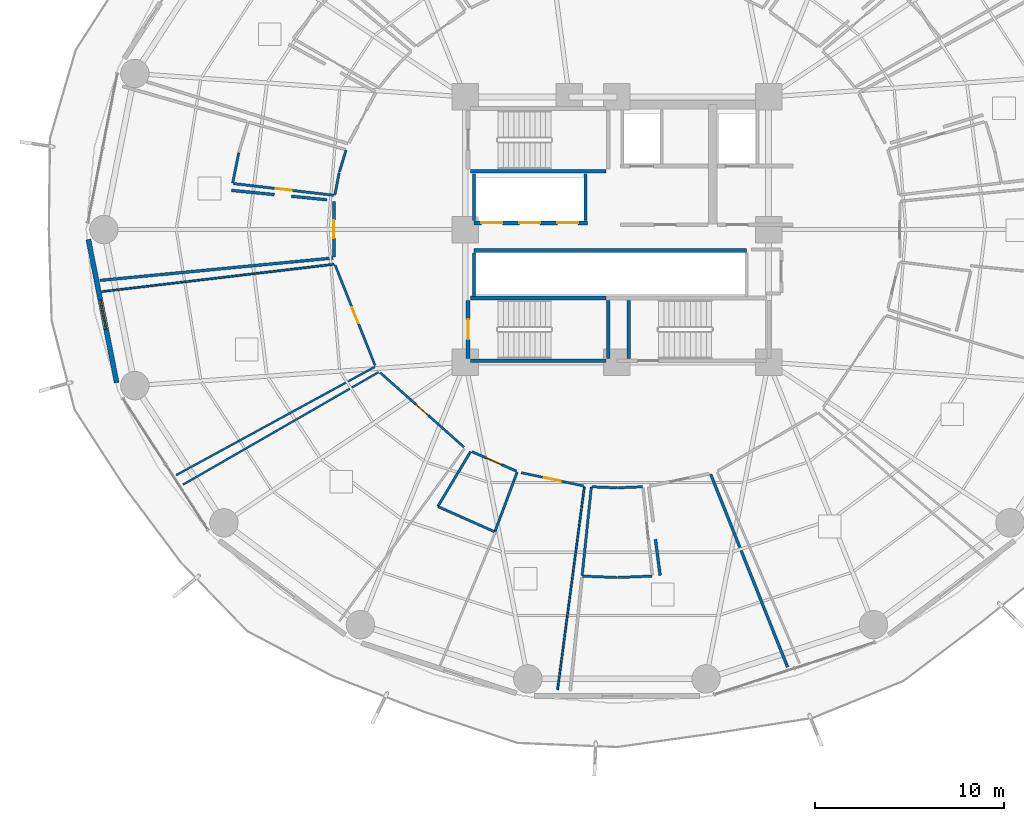
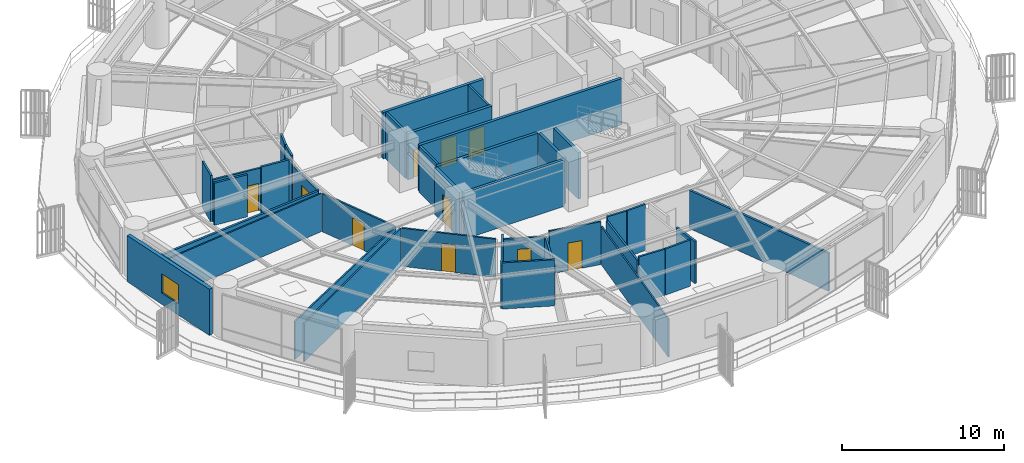
# One storey, part 23 of 32: 38 walls, 10 doors, 1 window, 11 openings.
"""IFC4 building model written with IfcOpenShell, lengths in metres."""

from ifc_helpers import new_model, si_unit, direction, frame, frame_2d, origin, place, context, subcontext, project, spatial, rectangle, extrude, material, layer, layer_set, type_object, element, fill, save


model = new_model("IFC4")

# Units and contexts
model_context = context("Model", 3, precision=1e-05, world=origin(), true_north=direction((0.0, 1.0)))
body_context = subcontext(model_context, "Body", "Model", "MODEL_VIEW")
ifc_project = project(units=[si_unit("LENGTHUNIT", "METRE"), si_unit("AREAUNIT", "SQUARE_METRE"), si_unit("VOLUMEUNIT", "CUBIC_METRE"), si_unit("PLANEANGLEUNIT", "RADIAN"), si_unit("MASSUNIT", "GRAM", prefix="KILO")], contexts=[model_context])

# Site, building, storey
site_placement = place(None, origin())
site = spatial("IfcSite", under=ifc_project, at=site_placement, CompositionType="ELEMENT")
building_placement = place(site_placement, origin())
building = spatial("IfcBuilding", under=site, at=building_placement, Name="Kelanora Arch Commons", CompositionType="ELEMENT")
storey_placement = place(building_placement, frame((0.0, 0.0, 52.5)))
storey = spatial("IfcBuildingStorey", under=building, at=storey_placement, Name="L13", CompositionType="ELEMENT", Elevation=52.5)

# Walls
ifc_material_1 = material(Name="Autoclaved aerated concrete blockwork with fire plaster", Category="masonry")
ifc_layer_1 = layer(ifc_material_1, 0.14990234375)
ifc_layer_set_1 = layer_set([ifc_layer_1], Name="Autoclaved aerated concrete blockwork with fire plaster")
wall_type_1 = type_object("IfcWallType", Name="W-COMP-150", PredefinedType="PARTITIONING", material=ifc_layer_set_1)
for number, where, z_axis, x_axis, name in (
    (1, (66.4599609375, 58.47998046875, 0.0), (0.0, 0.0, 1.0), (0.0, 1.0, 0.0), "Low-Rise Lift Bank West Wall L13"),
    (2, (72.340087890625, 58.47998046875, 0.0), (0.0, 0.0, 1.0), (0.0, 1.0, 0.0), "Low-Rise Lift Bank East Wall L13"),
):
    element("IfcWall", number, at=place(storey_placement, frame(where, z_axis=z_axis, x_axis=x_axis)), inside=storey, type_object=wall_type_1, Name=name, PredefinedType="PARTITIONING", context=body_context, shape_type="SweptSolid", body=[
        extrude(rectangle(XDim=2.4599609375, YDim=0.14990234375, at=frame_2d((1.22998046875, 0.0))), origin(), (0.0, 0.0, 1.0), 3.47998046875),
    ])
wall_1_placement = place(storey_placement, frame((66.4599609375, 54.47998046875, 0.0), z_axis=(0.0, 0.0, 1.0), x_axis=(0.0, 1.0, 0.0)))
element("IfcWall", 3, at=wall_1_placement, inside=storey, type_object=wall_type_1, Name="South Lift Bank West Wall L13", PredefinedType="PARTITIONING", context=body_context, shape_type="SweptSolid", body=[
    extrude(rectangle(XDim=2.2900390625, YDim=0.14990234375, at=frame_2d((1.14501953125, 0.0))), origin(), (0.0, 0.0, 1.0), 3.47998046875),
])

# Wall, opening, door
wall_2_placement = place(storey_placement, frame((59.06591796875, 59.47509765625, 0.0), z_axis=(0.0, 0.0, 1.0), x_axis=(-0.001677287141, -0.999998593353, 0.0)))
wall_2 = element("IfcWall", 4, at=wall_2_placement, inside=storey, type_object=wall_type_1, Name="Co-Living Studio L13-07 Entry Partition", PredefinedType="PARTITIONING", context=body_context, shape_type="SweptSolid", body=[
    extrude(rectangle(XDim=2.9111328125, YDim=0.14990234375, at=frame_2d((1.45556640625, 0.0))), origin(), (0.0, 0.0, 1.0), 2.875),
])
opening_1_placement = place(wall_2_placement, frame((0.98095703125, 0.0, 0.0)))
opening_1 = element("IfcOpeningElement", 5, at=opening_1_placement, cuts=wall_2, Name="Opening D-CLU1", PredefinedType="OPENING", context=body_context, shape_type="SweptSolid", body=[
    extrude(rectangle(XDim=0.949951171875, YDim=2.080078125, at=frame_2d((0.47509765625, 1.0400390625))), frame((0.0, 0.0849609375, 0.0), z_axis=(0.0, -1.0, 0.0), x_axis=(1.0, 0.0, 0.0)), (0.0, 0.0, 1.0), 0.169921875),
])
ifc_material_2 = material(Name="Solid-core acoustic timber cluster entry fire door", Category="wood")
door_type_1 = type_object("IfcDoorType", Name="D-CLU-95", OperationType="NOTDEFINED", PredefinedType="DOOR", material=ifc_material_2)
door_1_placement = place(opening_1_placement, origin())
door_1 = element("IfcDoor", 6, at=door_1_placement, inside=storey, type_object=door_type_1, Name="Co-Living Studio L13-07 Door", OperationType="SINGLE_SWING_RIGHT", OverallHeight=2.080078125, OverallWidth=0.949951171875, PredefinedType="DOOR", context=body_context, shape_type="SweptSolid", body=[
    extrude(rectangle(XDim=0.949951171875, YDim=2.080078125, at=frame_2d((0.47509765625, 1.0400390625))), frame((0.0, 0.02490234375, 0.0), z_axis=(0.0, -1.0, 0.0), x_axis=(1.0, 0.0, 0.0)), (0.0, 0.0, 1.0), 0.050048828125),
])
fill(opening_1, door_1)

# Walls
wall_3_placement = place(storey_placement, frame((59.021240234375, 56.500244140625, 0.0), z_axis=(0.0, 0.0, 1.0), x_axis=(-0.995408087514, -0.095722198638, 0.0)))
element("IfcWall", 7, at=wall_3_placement, inside=storey, type_object=wall_type_1, Name="Co-Living Studio L13-07 Enclosure Partition 2", PredefinedType="PARTITIONING", context=body_context, shape_type="SweptSolid", body=[
    extrude(rectangle(XDim=12.35205078125, YDim=0.14990234375, at=frame_2d((6.176025390625, 0.0))), origin(), (0.0, 0.0, 1.0), 2.875),
])
wall_4_placement = place(storey_placement, frame((53.661865234375, 60.069091796875, 0.0), z_axis=(0.0, 0.0, 1.0), x_axis=(0.995156134458, -0.098307009162, 0.0)))
element("IfcWall", 8, at=wall_4_placement, inside=storey, type_object=wall_type_1, Name="Co-Living Studio L13-07 Enclosure Partition 7", PredefinedType="PARTITIONING", context=body_context, shape_type="SweptSolid", body=[
    extrude(rectangle(XDim=2.262451171875, YDim=0.14990234375, at=frame_2d((1.13134765625, 0.0))), origin(), (0.0, 0.0, 1.0), 3.175048828125),
])
wall_5_placement = place(storey_placement, frame((56.828857421875, 59.756103515625, 0.0), z_axis=(0.0, 0.0, 1.0), x_axis=(0.995148801126, -0.098381215772, 0.0)))
element("IfcWall", 9, at=wall_5_placement, inside=storey, type_object=wall_type_1, Name="Co-Living Studio L13-07 Enclosure Partition 7", PredefinedType="PARTITIONING", context=body_context, shape_type="SweptSolid", body=[
    extrude(rectangle(XDim=1.87353515625, YDim=0.14990234375, at=frame_2d((0.936767578125, 0.0))), origin(), (0.0, 0.0, 1.0), 3.47998046875),
])
wall_6_placement = place(storey_placement, frame((78.94677734375, 45.087890625, 0.0), z_axis=(0.0, 0.0, 1.0), x_axis=(0.370325956987, -0.928901870803, 0.0)))
element("IfcWall", 10, at=wall_6_placement, inside=storey, type_object=wall_type_1, Name="Co-Living Studio L13-11 Enclosure Partition 2", PredefinedType="PARTITIONING", context=body_context, shape_type="SweptSolid", body=[
    extrude(rectangle(XDim=10.95361328125, YDim=0.14990234375, at=frame_2d((5.476806640625, 0.0))), origin(), (0.0, 0.0, 1.0), 2.875),
])
wall_7_placement = place(storey_placement, frame((76.27783203125, 39.749755859375, 0.0), z_axis=(0.0, 0.0, 1.0), x_axis=(-0.127498472538, 0.991838766887, 0.0)))
element("IfcWall", 11, at=wall_7_placement, inside=storey, type_object=wall_type_1, Name="Co-Living Studio L13-11 Enclosure Partition 7", PredefinedType="PARTITIONING", context=body_context, shape_type="SweptSolid", body=[
    extrude(rectangle(XDim=1.916748046875, YDim=0.14990234375, at=frame_2d((0.95849609375, 0.0))), origin(), (0.0, 0.0, 1.0), 3.175048828125),
])

# Wall, opening, window
ifc_material_3 = material(Name="Precast concrete C40/50 with terracotta rainscreen", Category="masonry")
ifc_layer_2 = layer(ifc_material_3, 0.260009765625)
ifc_layer_set_2 = layer_set([ifc_layer_2], Name="Precast concrete C40/50 with terracotta rainscreen")
wall_type_2 = type_object("IfcWallType", Name="W-EXT-TC", PredefinedType="SOLIDWALL", material=ifc_layer_set_2)
wall_8_placement = place(storey_placement, frame((46.103515625, 57.4765625, 0.0), z_axis=(0.0, 0.0, 1.0), x_axis=(0.193726159581, -0.98105564322, 0.0)))
wall_8 = element("IfcWall", 12, at=wall_8_placement, inside=storey, type_object=wall_type_2, Name="Terracotta Exterior Wall L13-B09", PredefinedType="SOLIDWALL", context=body_context, shape_type="SweptSolid", body=[
    extrude(rectangle(XDim=7.70263671875, YDim=0.260009765625, at=frame_2d((3.851318359375, 0.0))), origin(), (0.0, 0.0, 1.0), 3.47509765625),
])
opening_2_placement = place(wall_8_placement, frame((3.23095703125, 0.0, 0.85009765625)))
opening_2 = element("IfcOpeningElement", 13, at=opening_2_placement, cuts=wall_8, Name="Opening WN-01", PredefinedType="OPENING", context=body_context, shape_type="SweptSolid", body=[
    extrude(rectangle(XDim=1.60009765625, YDim=1.449951171875, at=frame_2d((0.800048828125, 0.72509765625))), frame((0.0, 0.14013671875, 0.0), z_axis=(0.0, -1.0, 0.0), x_axis=(1.0, 0.0, 0.0)), (0.0, 0.0, 1.0), 0.280029296875),
])
ifc_material_4 = material(Name="Terracotta-anodised aluminium frame with operable low-E glazing", Category="masonry")
window_type = type_object("IfcWindowType", Name="WIN-CL-18", PartitioningType="DOUBLE_PANEL_VERTICAL", PredefinedType="WINDOW", material=ifc_material_4)
window_placement = place(opening_2_placement, origin())
window = element("IfcWindow", 14, at=window_placement, inside=storey, type_object=window_type, Name="Co-Living Operable Window L13-B09", OverallHeight=1.449951171875, OverallWidth=1.60009765625, PartitioningType="SINGLE_PANEL", PredefinedType="WINDOW", context=body_context, shape_type="SweptSolid", body=[
    extrude(rectangle(XDim=1.60009765625, YDim=1.449951171875, at=frame_2d((0.800048828125, 0.72509765625))), frame((0.0, 0.030029296875, 0.0), z_axis=(0.0, -1.0, 0.0), x_axis=(1.0, 0.0, 0.0)), (0.0, 0.0, 1.0), 0.06005859375),
])
fill(opening_2, window)

# Wall, openings, doors
ifc_material_5 = material(Name="Concrete C40/50", Category="concrete")
ifc_layer_3 = layer(ifc_material_5, 0.199951171875)
ifc_layer_set_3 = layer_set([ifc_layer_3], Name="Concrete C40/50")
wall_type_3 = type_object("IfcWallType", Name="W-FFL-200", PredefinedType="SOLIDWALL", material=ifc_layer_set_3)
wall_9_placement = place(storey_placement, frame((66.449951171875, 58.35009765625, 0.0), z_axis=(0.0, 0.0, 1.0), x_axis=(1.0, 0.0, 0.0)))
wall_9 = element("IfcWall", 15, at=wall_9_placement, inside=storey, type_object=wall_type_3, Name="Low-Rise Passenger Lift Shaft Front L13", PredefinedType="SOLIDWALL", context=body_context, shape_type="SweptSolid", body=[
    extrude(rectangle(XDim=6.0, YDim=0.199951171875, at=frame_2d((3.0, 0.0))), origin(), (0.0, 0.0, 1.0), 3.47998046875),
])
opening_3_placement = place(wall_9_placement, frame((0.39990234375, 0.0, 0.0)))
opening_3 = element("IfcOpeningElement", 16, at=opening_3_placement, cuts=wall_9, Name="Opening LD-01", PredefinedType="OPENING", context=body_context, shape_type="SweptSolid", body=[
    extrude(rectangle(XDim=1.10009765625, YDim=2.10009765625, at=frame_2d((0.550048828125, 1.050048828125))), frame((0.0, 0.10986328125, 0.0), z_axis=(0.0, -1.0, 0.0), x_axis=(1.0, 0.0, 0.0)), (0.0, 0.0, 1.0), 0.219970703125),
])
opening_4_placement = place(wall_9_placement, frame((2.39990234375, 0.0, 0.0)))
opening_4 = element("IfcOpeningElement", 17, at=opening_4_placement, cuts=wall_9, Name="Opening LD-01", PredefinedType="OPENING", context=body_context, shape_type="SweptSolid", body=[
    extrude(rectangle(XDim=1.10009765625, YDim=2.10009765625, at=frame_2d((0.550048828125, 1.050048828125))), frame((0.0, 0.10986328125, 0.0), z_axis=(0.0, -1.0, 0.0), x_axis=(1.0, 0.0, 0.0)), (0.0, 0.0, 1.0), 0.219970703125),
])
opening_5_placement = place(wall_9_placement, frame((4.39990234375, 0.0, 0.0)))
opening_5 = element("IfcOpeningElement", 18, at=opening_5_placement, cuts=wall_9, Name="Opening LD-01", PredefinedType="OPENING", context=body_context, shape_type="SweptSolid", body=[
    extrude(rectangle(XDim=1.10009765625, YDim=2.10009765625, at=frame_2d((0.550048828125, 1.050048828125))), frame((0.0, 0.10986328125, 0.0), z_axis=(0.0, -1.0, 0.0), x_axis=(1.0, 0.0, 0.0)), (0.0, 0.0, 1.0), 0.219970703125),
])
ifc_material_6 = material(Name="Stainless steel passenger lift sliding landing door", Category="steel")
door_type_2 = type_object("IfcDoorType", Name="D-LIFT-110", OperationType="NOTDEFINED", PredefinedType="DOOR", material=ifc_material_6)
door_2_placement = place(opening_3_placement, origin())
door_2 = element("IfcDoor", 19, at=door_2_placement, inside=storey, type_object=door_type_2, Name="Passenger Lift LF-P1 Landing Door L13", OperationType="DOUBLE_DOOR_SLIDING", OverallHeight=2.10009765625, OverallWidth=1.10009765625, PredefinedType="DOOR", context=body_context, shape_type="SweptSolid", body=[
    extrude(rectangle(XDim=1.10009765625, YDim=2.10009765625, at=frame_2d((0.550048828125, 1.050048828125))), frame((0.0, 0.02490234375, 0.0), z_axis=(0.0, -1.0, 0.0), x_axis=(1.0, 0.0, 0.0)), (0.0, 0.0, 1.0), 0.050048828125),
])
fill(opening_3, door_2)
door_3_placement = place(opening_4_placement, origin())
door_3 = element("IfcDoor", 20, at=door_3_placement, inside=storey, type_object=door_type_2, Name="Passenger Lift LF-P2 Landing Door L13", OperationType="DOUBLE_DOOR_SLIDING", OverallHeight=2.10009765625, OverallWidth=1.10009765625, PredefinedType="DOOR", context=body_context, shape_type="SweptSolid", body=[
    extrude(rectangle(XDim=1.10009765625, YDim=2.10009765625, at=frame_2d((0.550048828125, 1.050048828125))), frame((0.0, 0.02490234375, 0.0), z_axis=(0.0, -1.0, 0.0), x_axis=(1.0, 0.0, 0.0)), (0.0, 0.0, 1.0), 0.050048828125),
])
fill(opening_4, door_3)
door_4_placement = place(opening_5_placement, origin())
door_4 = element("IfcDoor", 21, at=door_4_placement, inside=storey, type_object=door_type_2, Name="Passenger Lift LF-P3 Landing Door L13", OperationType="DOUBLE_DOOR_SLIDING", OverallHeight=2.10009765625, OverallWidth=1.10009765625, PredefinedType="DOOR", context=body_context, shape_type="SweptSolid", body=[
    extrude(rectangle(XDim=1.10009765625, YDim=2.10009765625, at=frame_2d((0.550048828125, 1.050048828125))), frame((0.0, 0.02490234375, 0.0), z_axis=(0.0, -1.0, 0.0), x_axis=(1.0, 0.0, 0.0)), (0.0, 0.0, 1.0), 0.050048828125),
])
fill(opening_5, door_4)

# Walls
wall_10_placement = place(storey_placement, frame((66.449951171875, 56.89990234375, 0.0), z_axis=(0.0, 0.0, 1.0), x_axis=(1.0, 0.0, 0.0)))
element("IfcWall", 22, at=wall_10_placement, inside=storey, type_object=wall_type_3, Name="Mid/High/Express Lift Shaft Front L13", PredefinedType="SOLIDWALL", context=body_context, shape_type="SweptSolid", body=[
    extrude(rectangle(XDim=14.400146484375, YDim=0.199951171875, at=frame_2d((7.2001953125, 0.0))), origin(), (0.0, 0.0, 1.0), 3.47998046875),
])
ifc_material_7 = material(Name="Lightweight fire-rated acoustic stud partition")
ifc_layer_4 = layer(ifc_material_7, 0.10009765625)
ifc_layer_set_4 = layer_set([ifc_layer_4], Name="Lightweight fire-rated acoustic stud partition")
wall_type_4 = type_object("IfcWallType", Name="W-PART-100", PredefinedType="PARTITIONING", material=ifc_layer_set_4)
wall_11_placement = place(storey_placement, frame((61.220947265625, 50.7548828125, 0.0), z_axis=(0.0, 0.0, 1.0), x_axis=(-0.878114235828, -0.478451030761, 0.0)))
element("IfcWall", 23, at=wall_11_placement, inside=storey, type_object=wall_type_4, Name="Quiet Seminar Study Room L13-08 Enclosure Partition 2", PredefinedType="PARTITIONING", context=body_context, shape_type="SweptSolid", body=[
    extrude(rectangle(XDim=11.9423828125, YDim=0.10009765625, at=frame_2d((5.97119140625, 0.0))), origin(), (0.0, 0.0, 1.0), 2.875),
])
wall_12_placement = place(storey_placement, frame((46.8076171875, 54.724609375, 0.0), z_axis=(0.0, 0.0, 1.0), x_axis=(0.993128309916, 0.117030594475, 0.0)))
element("IfcWall", 24, at=wall_12_placement, inside=storey, type_object=wall_type_4, Name="Quiet Seminar Study Room L13-08 Enclosure Partition 4", PredefinedType="PARTITIONING", context=body_context, shape_type="SweptSolid", body=[
    extrude(rectangle(XDim=12.343505859375, YDim=0.10009765625, at=frame_2d((6.171875, 0.0))), origin(), (0.0, 0.0, 1.0), 2.875),
])
wall_13_placement = place(storey_placement, frame((51.0966796875, 44.538818359375, 0.0), z_axis=(0.0, 0.0, 1.0), x_axis=(0.866911397605, 0.498462264071, 0.0)))
element("IfcWall", 25, at=wall_13_placement, inside=storey, type_object=wall_type_4, Name="Social Sky Lounge L13-09 Enclosure Partition 4", PredefinedType="PARTITIONING", context=body_context, shape_type="SweptSolid", body=[
    extrude(rectangle(XDim=11.9072265625, YDim=0.10009765625, at=frame_2d((5.95361328125, 0.0))), origin(), (0.0, 0.0, 1.0), 2.875),
])
wall_14_placement = place(storey_placement, frame((72.27880859375, 44.419189453125, 0.0), z_axis=(0.0, 0.0, 1.0), x_axis=(-0.130800348515, -0.991408729449, 0.0)))
element("IfcWall", 26, at=wall_14_placement, inside=storey, type_object=wall_type_4, Name="Tutorial Study Alcove L13-10 Enclosure Partition 2", PredefinedType="PARTITIONING", context=body_context, shape_type="SweptSolid", body=[
    extrude(rectangle(XDim=10.792236328125, YDim=0.10009765625, at=frame_2d((5.39599609375, 0.0))), origin(), (0.0, 0.0, 1.0), 2.875),
])

# Wall, opening, door
ifc_material_8 = material(Name="Acoustic twin-stud fire-rated gypsum partition")
ifc_layer_5 = layer(ifc_material_8, 0.1201171875)
ifc_layer_set_5 = layer_set([ifc_layer_5], Name="Acoustic twin-stud fire-rated gypsum partition")
wall_type_5 = type_object("IfcWallType", Name="W-PART-120", PredefinedType="PARTITIONING", material=ifc_layer_set_5)
wall_15_placement = place(storey_placement, frame((59.128173828125, 56.118408203125, 0.0), z_axis=(0.0, 0.0, 1.0), x_axis=(0.369903929858, -0.929070009566, 0.0)))
wall_15 = element("IfcWall", 27, at=wall_15_placement, inside=storey, type_object=wall_type_5, Name="Quiet Seminar Study Room L13-08 Entry Partition", PredefinedType="PARTITIONING", context=body_context, shape_type="SweptSolid", body=[
    extrude(rectangle(XDim=5.692626953125, YDim=0.1201171875, at=frame_2d((2.84619140625, 0.0))), origin(), (0.0, 0.0, 1.0), 2.875),
])
opening_6_placement = place(wall_15_placement, frame((2.39599609375, 0.0, 0.0)))
opening_6 = element("IfcOpeningElement", 28, at=opening_6_placement, cuts=wall_15, Name="Opening D-RM1", PredefinedType="OPENING", context=body_context, shape_type="SweptSolid", body=[
    extrude(rectangle(XDim=0.89990234375, YDim=2.080078125, at=frame_2d((0.449951171875, 1.0400390625))), frame((0.0, 0.070068359375, 0.0), z_axis=(0.0, -1.0, 0.0), x_axis=(1.0, 0.0, 0.0)), (0.0, 0.0, 1.0), 0.14013671875),
])
ifc_material_9 = material(Name="Acoustic fire-rated timber study and lounge door", Category="wood")
door_type_3 = type_object("IfcDoorType", Name="D-ROOM-90", OperationType="NOTDEFINED", PredefinedType="DOOR", material=ifc_material_9)
door_5_placement = place(opening_6_placement, origin())
door_5 = element("IfcDoor", 29, at=door_5_placement, inside=storey, type_object=door_type_3, Name="Quiet Seminar Study Room L13-08 Door", OperationType="SINGLE_SWING_LEFT", OverallHeight=2.080078125, OverallWidth=0.89990234375, PredefinedType="DOOR", context=body_context, shape_type="SweptSolid", body=[
    extrude(rectangle(XDim=0.89990234375, YDim=2.080078125, at=frame_2d((0.449951171875, 1.0400390625))), frame((0.0, 0.02490234375, 0.0), z_axis=(0.0, -1.0, 0.0), x_axis=(1.0, 0.0, 0.0)), (0.0, 0.0, 1.0), 0.050048828125),
])
fill(opening_6, door_5)

wall_16_placement = place(storey_placement, frame((61.498779296875, 50.4541015625, 0.0), z_axis=(0.0, 0.0, 1.0), x_axis=(0.747393415848, -0.664381729089, 0.0)))
wall_16 = element("IfcWall", 30, at=wall_16_placement, inside=storey, type_object=wall_type_5, Name="Social Sky Lounge L13-09 Entry Partition", PredefinedType="PARTITIONING", context=body_context, shape_type="SweptSolid", body=[
    extrude(rectangle(XDim=5.92919921875, YDim=0.1201171875, at=frame_2d((2.964599609375, 0.0))), origin(), (0.0, 0.0, 1.0), 2.875),
])
opening_7_placement = place(wall_16_placement, frame((2.514892578125, 0.0, 0.0)))
opening_7 = element("IfcOpeningElement", 31, at=opening_7_placement, cuts=wall_16, Name="Opening D-RM1", PredefinedType="OPENING", context=body_context, shape_type="SweptSolid", body=[
    extrude(rectangle(XDim=0.89990234375, YDim=2.080078125, at=frame_2d((0.449951171875, 1.0400390625))), frame((0.0, 0.070068359375, 0.0), z_axis=(0.0, -1.0, 0.0), x_axis=(1.0, 0.0, 0.0)), (0.0, 0.0, 1.0), 0.14013671875),
])
door_6_placement = place(opening_7_placement, origin())
door_6 = element("IfcDoor", 32, at=door_6_placement, inside=storey, type_object=door_type_3, Name="Social Sky Lounge L13-09 Door", OperationType="SINGLE_SWING_RIGHT", OverallHeight=2.080078125, OverallWidth=0.89990234375, PredefinedType="DOOR", context=body_context, shape_type="SweptSolid", body=[
    extrude(rectangle(XDim=0.89990234375, YDim=2.080078125, at=frame_2d((0.449951171875, 1.0400390625))), frame((0.0, 0.02490234375, 0.0), z_axis=(0.0, -1.0, 0.0), x_axis=(1.0, 0.0, 0.0)), (0.0, 0.0, 1.0), 0.050048828125),
])
fill(opening_7, door_6)

wall_17_placement = place(storey_placement, frame((68.94970703125, 45.16943359375, 0.0), z_axis=(0.0, 0.0, 1.0), x_axis=(0.978041794992, -0.20840884638, 0.0)))
wall_17 = element("IfcWall", 33, at=wall_17_placement, inside=storey, type_object=wall_type_5, Name="Tutorial Study Alcove L13-10 Entry Partition", PredefinedType="PARTITIONING", context=body_context, shape_type="SweptSolid", body=[
    extrude(rectangle(XDim=3.34912109375, YDim=0.1201171875, at=frame_2d((1.674560546875, 0.0))), origin(), (0.0, 0.0, 1.0), 3.235107421875),
])
opening_8_placement = place(wall_17_placement, frame((1.22509765625, 0.0, 0.0)))
opening_8 = element("IfcOpeningElement", 34, at=opening_8_placement, cuts=wall_17, Name="Opening D-RM1", PredefinedType="OPENING", context=body_context, shape_type="SweptSolid", body=[
    extrude(rectangle(XDim=0.89990234375, YDim=2.080078125, at=frame_2d((0.449951171875, 1.0400390625))), frame((0.0, 0.070068359375, 0.0), z_axis=(0.0, -1.0, 0.0), x_axis=(1.0, 0.0, 0.0)), (0.0, 0.0, 1.0), 0.14013671875),
])
door_7_placement = place(opening_8_placement, origin())
door_7 = element("IfcDoor", 35, at=door_7_placement, inside=storey, type_object=door_type_3, Name="Tutorial Study Alcove L13-10 Door", OperationType="SINGLE_SWING_RIGHT", OverallHeight=2.080078125, OverallWidth=0.89990234375, PredefinedType="DOOR", context=body_context, shape_type="SweptSolid", body=[
    extrude(rectangle(XDim=0.89990234375, YDim=2.080078125, at=frame_2d((0.449951171875, 1.0400390625))), frame((0.0, 0.02490234375, 0.0), z_axis=(0.0, -1.0, 0.0), x_axis=(1.0, 0.0, 0.0)), (0.0, 0.0, 1.0), 0.050048828125),
])
fill(opening_8, door_7)

# Walls
ifc_layer_6 = layer(ifc_material_5, 0.199951171875)
ifc_layer_set_6 = layer_set([ifc_layer_6], Name="Concrete C40/50")
wall_type_6 = type_object("IfcWallType", Name="W-STAIR-200", PredefinedType="SHEAR", material=ifc_layer_set_6)
wall_18_placement = place(storey_placement, frame((66.260009765625, 61.080078125, 0.0), z_axis=(0.0, 0.0, 1.0), x_axis=(1.0, 0.0, 0.0)))
element("IfcWall", 36, at=wall_18_placement, inside=storey, type_object=wall_type_6, Name="Stair ST-T1 Shaft Wall S L13", PredefinedType="SHEAR", context=body_context, shape_type="SweptSolid", body=[
    extrude(rectangle(XDim=7.159912109375, YDim=0.199951171875, at=frame_2d((3.580078125, 0.0))), origin(), (0.0, 0.0, 1.0), 3.489990234375),
])
wall_19_placement = place(storey_placement, frame((74.6201171875, 54.27001953125, 0.0), z_axis=(0.0, 0.0, 1.0), x_axis=(0.0, -1.0, 0.0)))
element("IfcWall", 37, at=wall_19_placement, inside=storey, type_object=wall_type_6, Name="Stair ST-T2 Shaft Wall W L13", PredefinedType="SHEAR", context=body_context, shape_type="SweptSolid", body=[
    extrude(rectangle(XDim=3.070068359375, YDim=0.199951171875, at=frame_2d((1.53515625, 0.0))), origin(), (0.0, 0.0, 1.0), 3.489990234375),
])
wall_20_placement = place(storey_placement, frame((66.260009765625, 51.080078125, 0.0), z_axis=(0.0, 0.0, 1.0), x_axis=(1.0, 0.0, 0.0)))
element("IfcWall", 38, at=wall_20_placement, inside=storey, type_object=wall_type_6, Name="Stair ST-T3 Shaft Wall S L13", PredefinedType="SHEAR", context=body_context, shape_type="SweptSolid", body=[
    extrude(rectangle(XDim=7.159912109375, YDim=0.199951171875, at=frame_2d((3.580078125, 0.0))), origin(), (0.0, 0.0, 1.0), 3.489990234375),
])
wall_21_placement = place(storey_placement, frame((73.5400390625, 51.199951171875, 0.0), z_axis=(0.0, 0.0, 1.0), x_axis=(0.0, 1.0, 0.0)))
element("IfcWall", 39, at=wall_21_placement, inside=storey, type_object=wall_type_6, Name="Stair ST-T3 Shaft Wall E L13", PredefinedType="SHEAR", context=body_context, shape_type="SweptSolid", body=[
    extrude(rectangle(XDim=3.070068359375, YDim=0.199951171875, at=frame_2d((1.53515625, 0.0))), origin(), (0.0, 0.0, 1.0), 3.489990234375),
])
wall_22_placement = place(storey_placement, frame((73.419921875, 54.389892578125, 0.0), z_axis=(0.0, 0.0, 1.0), x_axis=(-1.0, 0.0, 0.0)))
element("IfcWall", 40, at=wall_22_placement, inside=storey, type_object=wall_type_6, Name="Stair ST-T3 Shaft Wall N L13", PredefinedType="SHEAR", context=body_context, shape_type="SweptSolid", body=[
    extrude(rectangle(XDim=7.159912109375, YDim=0.199951171875, at=frame_2d((3.580078125, 0.0))), origin(), (0.0, 0.0, 1.0), 3.489990234375),
])

# Wall, opening, door
wall_23_placement = place(storey_placement, frame((66.139892578125, 54.27001953125, 0.0), z_axis=(0.0, 0.0, 1.0), x_axis=(0.0, -1.0, 0.0)))
wall_23 = element("IfcWall", 41, at=wall_23_placement, inside=storey, type_object=wall_type_6, Name="Stair ST-T3 Shaft Wall W L13", PredefinedType="SHEAR", context=body_context, shape_type="SweptSolid", body=[
    extrude(rectangle(XDim=3.070068359375, YDim=0.199951171875, at=frame_2d((1.53515625, 0.0))), origin(), (0.0, 0.0, 1.0), 3.489990234375),
])
opening_9_placement = place(wall_23_placement, frame((1.010009765625, 0.0, 0.0)))
opening_9 = element("IfcOpeningElement", 42, at=opening_9_placement, cuts=wall_23, Name="Opening D-ST1", PredefinedType="OPENING", context=body_context, shape_type="SweptSolid", body=[
    extrude(rectangle(XDim=1.050048828125, YDim=2.10009765625, at=frame_2d((0.52490234375, 1.050048828125))), frame((0.0, 0.10986328125, 0.0), z_axis=(0.0, -1.0, 0.0), x_axis=(1.0, 0.0, 0.0)), (0.0, 0.0, 1.0), 0.219970703125),
])
ifc_material_10 = material(Name="Steel fire-rated stairwell escape door", Category="steel")
door_type_4 = type_object("IfcDoorType", Name="D-STAIR-110", OperationType="NOTDEFINED", PredefinedType="DOOR", material=ifc_material_10)
door_8_placement = place(opening_9_placement, origin())
door_8 = element("IfcDoor", 43, at=door_8_placement, inside=storey, type_object=door_type_4, Name="Stair ST-T3 Escape Door L13", OperationType="SINGLE_SWING_LEFT", OverallHeight=2.10009765625, OverallWidth=1.050048828125, PredefinedType="DOOR", context=body_context, shape_type="SweptSolid", body=[
    extrude(rectangle(XDim=1.050048828125, YDim=2.10009765625, at=frame_2d((0.52490234375, 1.050048828125))), frame((0.0, 0.02490234375, 0.0), z_axis=(0.0, -1.0, 0.0), x_axis=(1.0, 0.0, 0.0)), (0.0, 0.0, 1.0), 0.050048828125),
])
fill(opening_9, door_8)

ifc_material_11 = material(Name="Moisture-resistant fire-rated cement-board plumbing wall")
ifc_layer_7 = layer(ifc_material_11, 0.1298828125)
ifc_layer_set_7 = layer_set([ifc_layer_7], Name="Moisture-resistant fire-rated cement-board plumbing wall")
wall_type_7 = type_object("IfcWallType", Name="W-WET-120", PredefinedType="PLUMBINGWALL", material=ifc_layer_set_7)
wall_24_placement = place(storey_placement, frame((59.04345703125, 59.81298828125, 0.0), z_axis=(0.0, 0.0, 1.0), x_axis=(-0.99328280677, 0.115711994952, 0.0)))
wall_24 = element("IfcWall", 44, at=wall_24_placement, inside=storey, type_object=wall_type_7, Name="En-Suite Shower WC L13-07 Entry Partition", PredefinedType="PLUMBINGWALL", context=body_context, shape_type="SweptSolid", body=[
    extrude(rectangle(XDim=5.306396484375, YDim=0.1298828125, at=frame_2d((2.6533203125, 0.0))), origin(), (0.0, 0.0, 1.0), 3.175048828125),
])
opening_10_placement = place(wall_24_placement, frame((2.222900390625, 0.0, 0.0)))
opening_10 = element("IfcOpeningElement", 45, at=opening_10_placement, cuts=wall_24, Name="Opening D-BT1", PredefinedType="OPENING", context=body_context, shape_type="SweptSolid", body=[
    extrude(rectangle(XDim=0.860107421875, YDim=2.050048828125, at=frame_2d((0.43017578125, 1.02490234375))), frame((0.0, 0.074951171875, 0.0), z_axis=(0.0, -1.0, 0.0), x_axis=(1.0, 0.0, 0.0)), (0.0, 0.0, 1.0), 0.14990234375),
])
ifc_material_12 = material(Name="Moisture-sealed fire-rated accessible bathroom door")
door_type_5 = type_object("IfcDoorType", Name="D-BATH-85", OperationType="NOTDEFINED", PredefinedType="DOOR", material=ifc_material_12)
door_9_placement = place(opening_10_placement, origin())
door_9 = element("IfcDoor", 46, at=door_9_placement, inside=storey, type_object=door_type_5, Name="En-Suite Shower WC L13-07 Door", OperationType="SINGLE_SWING_LEFT", OverallHeight=2.050048828125, OverallWidth=0.860107421875, PredefinedType="DOOR", context=body_context, shape_type="SweptSolid", body=[
    extrude(rectangle(XDim=0.860107421875, YDim=2.050048828125, at=frame_2d((0.43017578125, 1.02490234375))), frame((0.0, 0.02490234375, 0.0), z_axis=(0.0, -1.0, 0.0), x_axis=(1.0, 0.0, 0.0)), (0.0, 0.0, 1.0), 0.050048828125),
])
fill(opening_10, door_9)

wall_25_placement = place(storey_placement, frame((66.343017578125, 46.277099609375, 0.0), z_axis=(0.0, 0.0, 1.0), x_axis=(0.916688793476, -0.399601871763, 0.0)))
wall_25 = element("IfcWall", 47, at=wall_25_placement, inside=storey, type_object=wall_type_7, Name="Accessible Shared Floor WC L13-10 Entry Partition", PredefinedType="PLUMBINGWALL", context=body_context, shape_type="SweptSolid", body=[
    extrude(rectangle(XDim=2.55810546875, YDim=0.1298828125, at=frame_2d((1.279052734375, 0.0))), origin(), (0.0, 0.0, 1.0), 2.875),
])
opening_11_placement = place(wall_25_placement, frame((0.84912109375, 0.0, 0.0)))
opening_11 = element("IfcOpeningElement", 48, at=opening_11_placement, cuts=wall_25, Name="Opening D-BT1", PredefinedType="OPENING", context=body_context, shape_type="SweptSolid", body=[
    extrude(rectangle(XDim=0.860107421875, YDim=2.050048828125, at=frame_2d((0.43017578125, 1.02490234375))), frame((0.0, 0.074951171875, 0.0), z_axis=(0.0, -1.0, 0.0), x_axis=(1.0, 0.0, 0.0)), (0.0, 0.0, 1.0), 0.14990234375),
])
door_10_placement = place(opening_11_placement, origin())
door_10 = element("IfcDoor", 49, at=door_10_placement, inside=storey, type_object=door_type_5, Name="Accessible Shared Floor WC L13-10 Door", OperationType="SINGLE_SWING_LEFT", OverallHeight=2.050048828125, OverallWidth=0.860107421875, PredefinedType="DOOR", context=body_context, shape_type="SweptSolid", body=[
    extrude(rectangle(XDim=0.860107421875, YDim=2.050048828125, at=frame_2d((0.43017578125, 1.02490234375))), frame((0.0, 0.02490234375, 0.0), z_axis=(0.0, -1.0, 0.0), x_axis=(1.0, 0.0, 0.0)), (0.0, 0.0, 1.0), 0.050048828125),
])
fill(opening_11, door_10)

# Walls
wall_26_placement = place(storey_placement, frame((59.701171875, 62.19580078125, 0.0), z_axis=(0.0, 0.0, 1.0), x_axis=(-0.29128243511, -0.956637100993, 0.0)))
element("IfcWall", 50, at=wall_26_placement, inside=storey, type_object=wall_type_7, Name="En-Suite Shower WC L13-07 Enclosure Partition 1", PredefinedType="PLUMBINGWALL", context=body_context, shape_type="SweptSolid", body=[
    extrude(rectangle(XDim=1.2060546875, YDim=0.1298828125, at=frame_2d((0.60302734375, 0.0))), origin(), (0.0, 0.0, 1.0), 3.47998046875),
])
wall_27_placement = place(storey_placement, frame((59.340087890625, 61.00341796875, 0.0), z_axis=(0.0, 0.0, 1.0), x_axis=(-0.194199574792, -0.980962040627, 0.0)))
element("IfcWall", 51, at=wall_27_placement, inside=storey, type_object=wall_type_7, Name="En-Suite Shower WC L13-07 Enclosure Partition 2", PredefinedType="PLUMBINGWALL", context=body_context, shape_type="SweptSolid", body=[
    extrude(rectangle(XDim=1.20068359375, YDim=0.1298828125, at=frame_2d((0.600341796875, 0.0))), origin(), (0.0, 0.0, 1.0), 3.47998046875),
])
wall_28_placement = place(storey_placement, frame((53.716796875, 60.45361328125, 0.0), z_axis=(0.0, 0.0, 1.0), x_axis=(0.196892919049, 0.98042499888, 0.0)))
element("IfcWall", 52, at=wall_28_placement, inside=storey, type_object=wall_type_7, Name="En-Suite Shower WC L13-07 Enclosure Partition 4", PredefinedType="PLUMBINGWALL", context=body_context, shape_type="SweptSolid", body=[
    extrude(rectangle(XDim=1.6318359375, YDim=0.1298828125, at=frame_2d((0.81591796875, 0.0))), origin(), (0.0, 0.0, 1.0), 3.47998046875),
])
wall_29_placement = place(storey_placement, frame((68.736083984375, 45.21240234375, 0.0), z_axis=(0.0, 0.0, 1.0), x_axis=(-0.349729505813, -0.93685072064, 0.0)))
element("IfcWall", 53, at=wall_29_placement, inside=storey, type_object=wall_type_7, Name="Accessible Shared Floor WC L13-10 Enclosure Partition 2", PredefinedType="PLUMBINGWALL", context=body_context, shape_type="SweptSolid", body=[
    extrude(rectangle(XDim=3.35986328125, YDim=0.1298828125, at=frame_2d((1.679931640625, 0.0))), origin(), (0.0, 0.0, 1.0), 2.875),
])
wall_30_placement = place(storey_placement, frame((67.53564453125, 42.05419921875, 0.0), z_axis=(0.0, 0.0, 1.0), x_axis=(-0.913941429535, 0.405846108002, 0.0)))
element("IfcWall", 54, at=wall_30_placement, inside=storey, type_object=wall_type_7, Name="Accessible Shared Floor WC L13-10 Enclosure Partition 3", PredefinedType="PLUMBINGWALL", context=body_context, shape_type="SweptSolid", body=[
    extrude(rectangle(XDim=3.25439453125, YDim=0.1298828125, at=frame_2d((1.627197265625, 0.0))), origin(), (0.0, 0.0, 1.0), 3.47998046875),
])
wall_31_placement = place(storey_placement, frame((64.55322265625, 43.400146484375, 0.0), z_axis=(0.0, 0.0, 1.0), x_axis=(0.513234244366, 0.858248571458, 0.0)))
element("IfcWall", 55, at=wall_31_placement, inside=storey, type_object=wall_type_7, Name="Accessible Shared Floor WC L13-10 Enclosure Partition 4", PredefinedType="PLUMBINGWALL", context=body_context, shape_type="SweptSolid", body=[
    extrude(rectangle(XDim=3.35986328125, YDim=0.1298828125, at=frame_2d((1.679931640625, 0.0))), origin(), (0.0, 0.0, 1.0), 3.235107421875),
])
wall_32_placement = place(storey_placement, frame((72.6689453125, 44.42431640625, 0.0), z_axis=(0.0, 0.0, 1.0), x_axis=(0.999183175144, -0.040410178275, 0.0)))
element("IfcWall", 56, at=wall_32_placement, inside=storey, type_object=wall_type_7, Name="En-Suite Shower WC L13-11 Enclosure Partition 1", PredefinedType="PLUMBINGWALL", context=body_context, shape_type="SweptSolid", body=[
    extrude(rectangle(XDim=1.322998046875, YDim=0.1298828125, at=frame_2d((0.66162109375, 0.0))), origin(), (0.0, 0.0, 1.0), 3.47998046875),
])
wall_33_placement = place(storey_placement, frame((74.031005859375, 44.370849609375, 0.0), z_axis=(0.0, 0.0, 1.0), x_axis=(0.99912248842, 0.041883805147, 0.0)))
element("IfcWall", 57, at=wall_33_placement, inside=storey, type_object=wall_type_7, Name="En-Suite Shower WC L13-11 Enclosure Partition 2", PredefinedType="PLUMBINGWALL", context=body_context, shape_type="SweptSolid", body=[
    extrude(rectangle(XDim=1.3232421875, YDim=0.1298828125, at=frame_2d((0.66162109375, 0.0))), origin(), (0.0, 0.0, 1.0), 3.47998046875),
])
for number, where, z_axis, x_axis, name in (
    (58, (75.85009765625, 39.712158203125, 0.0), (0.0, 0.0, 1.0), (-0.999137492538, -0.041524342326, 0.0), "En-Suite Shower WC L13-11 Enclosure Partition 4"),
    (59, (73.9951171875, 39.63671875, 0.0), (0.0, 0.0, 1.0), (-0.999203104114, 0.039914367441, 0.0), "En-Suite Shower WC L13-11 Enclosure Partition 5"),
):
    element("IfcWall", number, at=place(storey_placement, frame(where, z_axis=z_axis, x_axis=x_axis)), inside=storey, type_object=wall_type_7, Name=name, PredefinedType="PLUMBINGWALL", context=body_context, shape_type="SweptSolid", body=[
        extrude(rectangle(XDim=1.816650390625, YDim=0.1298828125, at=frame_2d((0.908203125, 0.0))), origin(), (0.0, 0.0, 1.0), 3.47998046875),
    ])
wall_34_placement = place(storey_placement, frame((72.162109375, 39.72998046875, 0.0), z_axis=(0.0, 0.0, 1.0), x_axis=(0.103159659153, 0.994664810237, 0.0)))
element("IfcWall", 60, at=wall_34_placement, inside=storey, type_object=wall_type_7, Name="En-Suite Shower WC L13-11 Enclosure Partition 6", PredefinedType="PLUMBINGWALL", context=body_context, shape_type="SweptSolid", body=[
    extrude(rectangle(XDim=4.7001953125, YDim=0.1298828125, at=frame_2d((2.35009765625, 0.0))), origin(), (0.0, 0.0, 1.0), 3.175048828125),
])

save(model, "model.ifc")
